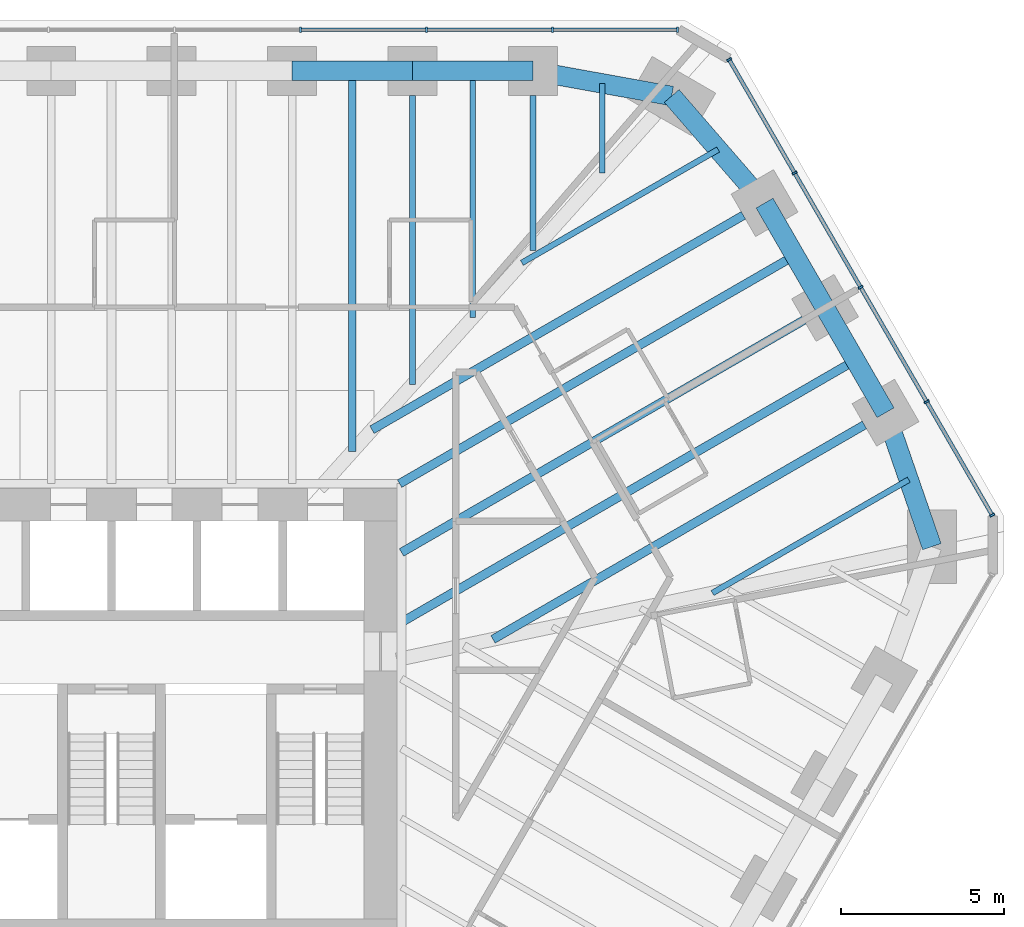
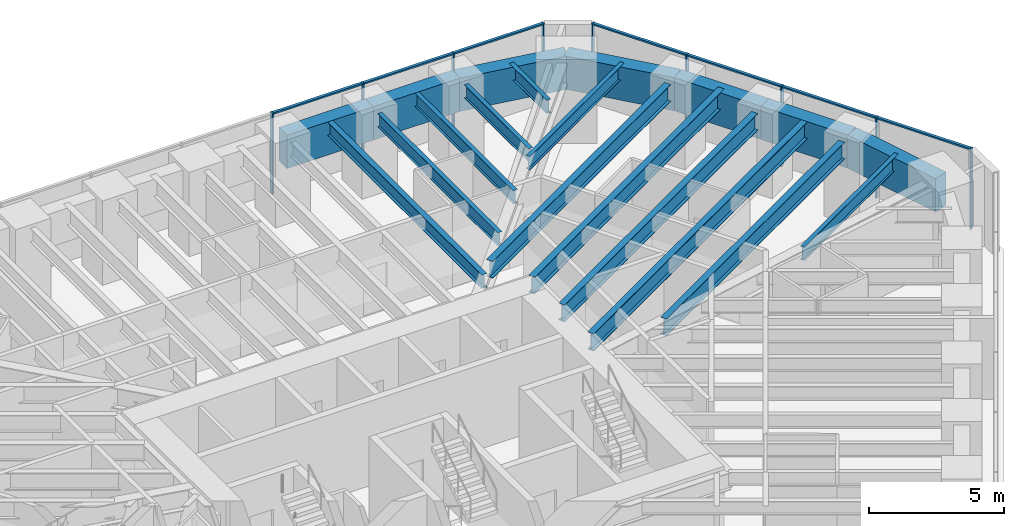
# One storey, part 9 of 16: 19 beams, 16 members, 2 elements without a shape of their own.
"""IFC4 building model written with IfcOpenShell, lengths in metres."""

from ifc_helpers import new_model, si_unit, direction, frame, origin, origin_2d, place, context, subcontext, project, spatial, rectangle, i_section, extrude, material, material_profile, profile_set, type_object, element, aggregate, save


model = new_model("IFC4")

# Units and contexts
model_context = context("Model", 3, precision=1e-05, world=origin(), true_north=direction((0.0, 1.0)))
body_context = subcontext(model_context, "Body", "Model", "MODEL_VIEW")
ifc_project = project(units=[si_unit("LENGTHUNIT", "METRE"), si_unit("AREAUNIT", "SQUARE_METRE"), si_unit("VOLUMEUNIT", "CUBIC_METRE"), si_unit("PLANEANGLEUNIT", "RADIAN"), si_unit("MASSUNIT", "GRAM", prefix="KILO")], contexts=[model_context])

# Site, building, storey
site_placement = place(None, origin())
site = spatial("IfcSite", under=ifc_project, at=site_placement, CompositionType="ELEMENT")
building_placement = place(site_placement, origin())
building = spatial("IfcBuilding", under=site, at=building_placement, Name="Sandreach Pilgrim Tower", CompositionType="ELEMENT")
storey_placement = place(building_placement, frame((0.0, 0.0, 209.800048828125)))
storey = spatial("IfcBuildingStorey", under=building, at=storey_placement, Name="L52", CompositionType="ELEMENT", Elevation=209.800048828125)

# Curtain wall, members
ifc_material_1 = material(Name="Aluminium framed curtain wall", Category="aluminium")
curtain_wall_type = type_object("IfcCurtainWallType", Name="Upper hotel tower curtain wall", PredefinedType="NOTDEFINED", material=ifc_material_1)
curtain_wall_1_placement = place(storey_placement, origin())
curtain_wall_1 = element("IfcCurtainWall", 1, at=curtain_wall_1_placement, inside=storey, type_object=curtain_wall_type, Name="CW-3 L52 N", PredefinedType="NOTDEFINED")
ifc_material_2 = material(Name="Aluminium extrusion", Category="aluminium")
ifc_material_profile_1 = material_profile(ifc_material_2, rectangle(XDim=0.06494140625, YDim=0.159912109375, at=origin_2d()), Name="CW-3M 65X160")
ifc_profile_set_1 = profile_set([ifc_material_profile_1], Name="Aluminium extrusion")
member_type_1 = type_object("IfcMemberType", Name="CW-3 mullion", PredefinedType="MULLION", material=ifc_profile_set_1)
member_1_placement = place(storey_placement, frame((5.796630859375, 21.16015625, 0.0), z_axis=(0.0, 0.0, 1.0), x_axis=(1.0, 0.0, 0.0)))
member_1 = element("IfcMember", 2, at=member_1_placement, type_object=member_type_1, Name="CW-3 mullion 7", PredefinedType="MULLION", context=body_context, shape_type="SweptSolid", body=[
    extrude(rectangle(XDim=0.06494140625, YDim=0.159912109375, at=origin_2d()), origin(), (0.0, 0.0, 1.0), 3.639892578125),
])
member_2_placement = place(storey_placement, frame((9.6611328125, 21.16015625, 0.0), z_axis=(0.0, 0.0, 1.0), x_axis=(1.0, 0.0, 0.0)))
member_2 = element("IfcMember", 3, at=member_2_placement, type_object=member_type_1, Name="CW-3 mullion 8", PredefinedType="MULLION", context=body_context, shape_type="SweptSolid", body=[
    extrude(rectangle(XDim=0.06494140625, YDim=0.159912109375, at=origin_2d()), origin(), (0.0, 0.0, 1.0), 3.639892578125),
])
member_3_placement = place(storey_placement, frame((13.525390625, 21.16015625, 0.0), z_axis=(0.0, 0.0, 1.0), x_axis=(1.0, 0.0, 0.0)))
member_3 = element("IfcMember", 4, at=member_3_placement, type_object=member_type_1, Name="CW-3 mullion 9", PredefinedType="MULLION", context=body_context, shape_type="SweptSolid", body=[
    extrude(rectangle(XDim=0.06494140625, YDim=0.159912109375, at=origin_2d()), origin(), (0.0, 0.0, 1.0), 3.639892578125),
])
member_4_placement = place(storey_placement, frame((17.357421875, 21.16015625, 0.0), z_axis=(0.0, 0.0, 1.0), x_axis=(1.0, 0.0, 0.0)))
member_4 = element("IfcMember", 5, at=member_4_placement, type_object=member_type_1, Name="CW-3 mullion 10", PredefinedType="MULLION", context=body_context, shape_type="SweptSolid", body=[
    extrude(rectangle(XDim=0.06494140625, YDim=0.159912109375, at=origin_2d()), origin(), (0.0, 0.0, 1.0), 3.639892578125),
])

curtain_wall_2_placement = place(storey_placement, origin())
curtain_wall_2 = element("IfcCurtainWall", 6, at=curtain_wall_2_placement, inside=storey, type_object=curtain_wall_type, Name="CW-3 L52 NE", PredefinedType="NOTDEFINED")
member_5_placement = place(storey_placement, frame((18.93896484375, 20.2470703125, 0.0), z_axis=(0.0, 0.0, 1.0), x_axis=(0.5, -0.866025403784, 0.0)))
member_5 = element("IfcMember", 7, at=member_5_placement, type_object=member_type_1, Name="CW-3 mullion 1", PredefinedType="MULLION", context=body_context, shape_type="SweptSolid", body=[
    extrude(rectangle(XDim=0.06494140625, YDim=0.159912109375, at=origin_2d()), origin(), (0.0, 0.0, 1.0), 3.639892578125),
])
member_6_placement = place(storey_placement, frame((20.947021484375, 16.768798828125, 0.0), z_axis=(0.0, 0.0, 1.0), x_axis=(0.5, -0.866025403784, 0.0)))
member_6 = element("IfcMember", 8, at=member_6_placement, type_object=member_type_1, Name="CW-3 mullion 2", PredefinedType="MULLION", context=body_context, shape_type="SweptSolid", body=[
    extrude(rectangle(XDim=0.06494140625, YDim=0.159912109375, at=origin_2d()), origin(), (0.0, 0.0, 1.0), 3.639892578125),
])
member_7_placement = place(storey_placement, frame((22.971435546875, 13.262451171875, 0.0), z_axis=(0.0, 0.0, 1.0), x_axis=(0.5, -0.866025403784, 0.0)))
member_7 = element("IfcMember", 9, at=member_7_placement, type_object=member_type_1, Name="CW-3 mullion 3", PredefinedType="MULLION", context=body_context, shape_type="SweptSolid", body=[
    extrude(rectangle(XDim=0.06494140625, YDim=0.159912109375, at=origin_2d()), origin(), (0.0, 0.0, 1.0), 3.639892578125),
])
member_8_placement = place(storey_placement, frame((24.995849609375, 9.75634765625, 0.0), z_axis=(0.0, 0.0, 1.0), x_axis=(0.5, -0.866025403784, 0.0)))
member_8 = element("IfcMember", 10, at=member_8_placement, type_object=member_type_1, Name="CW-3 mullion 4", PredefinedType="MULLION", context=body_context, shape_type="SweptSolid", body=[
    extrude(rectangle(XDim=0.06494140625, YDim=0.159912109375, at=origin_2d()), origin(), (0.0, 0.0, 1.0), 3.639892578125),
])
member_9_placement = place(storey_placement, frame((27.00390625, 6.278076171875, 0.0), z_axis=(0.0, 0.0, 1.0), x_axis=(0.5, -0.866025403784, 0.0)))
member_9 = element("IfcMember", 11, at=member_9_placement, type_object=member_type_1, Name="CW-3 mullion 5", PredefinedType="MULLION", context=body_context, shape_type="SweptSolid", body=[
    extrude(rectangle(XDim=0.06494140625, YDim=0.159912109375, at=origin_2d()), origin(), (0.0, 0.0, 1.0), 3.639892578125),
])

# Member
ifc_material_3 = material(Name="Aluminium extrusion", Category="aluminium")
ifc_material_profile_2 = material_profile(ifc_material_3, rectangle(XDim=0.1201171875, YDim=0.070068359375, at=origin_2d()), Name="CW-3T 120X70")
ifc_profile_set_2 = profile_set([ifc_material_profile_2], Name="Aluminium extrusion")
member_type_2 = type_object("IfcMemberType", Name="CW-3 transom", PredefinedType="USERDEFINED", material=ifc_profile_set_2)
member_10_placement = place(storey_placement, frame((5.8291015625, 21.16015625, 3.60498046875), z_axis=(1.0, 0.0, 0.0), x_axis=(0.0, 1.0, 0.0)))
member_10 = element("IfcMember", 12, at=member_10_placement, type_object=member_type_2, Name="CW-3 head transom 7", ObjectType="TRANSOM", PredefinedType="USERDEFINED", context=body_context, shape_type="SweptSolid", body=[
    extrude(rectangle(XDim=0.1201171875, YDim=0.070068359375, at=origin_2d()), origin(), (0.0, 0.0, 1.0), 3.799560546875),
])

member_11_placement = place(storey_placement, frame((9.693603515625, 21.16015625, 3.60498046875), z_axis=(1.0, 0.0, 0.0), x_axis=(0.0, 1.0, 0.0)))
member_11 = element("IfcMember", 13, at=member_11_placement, type_object=member_type_2, Name="CW-3 head transom 8", ObjectType="TRANSOM", PredefinedType="USERDEFINED", context=body_context, shape_type="SweptSolid", body=[
    extrude(rectangle(XDim=0.1201171875, YDim=0.070068359375, at=origin_2d()), origin(), (0.0, 0.0, 1.0), 3.79931640625),
])

member_12_placement = place(storey_placement, frame((13.557861328125, 21.16015625, 3.60498046875), z_axis=(1.0, 0.0, 0.0), x_axis=(0.0, 1.0, 0.0)))
member_12 = element("IfcMember", 14, at=member_12_placement, type_object=member_type_2, Name="CW-3 head transom 9", ObjectType="TRANSOM", PredefinedType="USERDEFINED", context=body_context, shape_type="SweptSolid", body=[
    extrude(rectangle(XDim=0.1201171875, YDim=0.070068359375, at=origin_2d()), origin(), (0.0, 0.0, 1.0), 3.76708984375),
])

aggregate(curtain_wall_1, [member_1, member_2, member_3, member_4, member_10, member_11, member_12])

member_13_placement = place(storey_placement, frame((18.955322265625, 20.21875, 3.60498046875), z_axis=(0.499993448556, -0.866029186229, 0.0), x_axis=(0.866029186229, 0.499993448556, 0.0)))
member_13 = element("IfcMember", 15, at=member_13_placement, type_object=member_type_2, Name="CW-3 head transom 1", ObjectType="TRANSOM", PredefinedType="USERDEFINED", context=body_context, shape_type="SweptSolid", body=[
    extrude(rectangle(XDim=0.1201171875, YDim=0.070068359375, at=origin_2d()), origin(), (0.0, 0.0, 1.0), 3.951171875),
])

member_14_placement = place(storey_placement, frame((20.96337890625, 16.74072265625, 3.60498046875), z_axis=(0.499975332564, -0.866039645067, 0.0), x_axis=(0.866039645067, 0.499975332564, 0.0)))
member_14 = element("IfcMember", 16, at=member_14_placement, type_object=member_type_2, Name="CW-3 head transom 2", ObjectType="TRANSOM", PredefinedType="USERDEFINED", context=body_context, shape_type="SweptSolid", body=[
    extrude(rectangle(XDim=0.1201171875, YDim=0.070068359375, at=origin_2d()), origin(), (0.0, 0.0, 1.0), 3.983642578125),
])

member_15_placement = place(storey_placement, frame((22.98779296875, 13.234375, 3.60498046875), z_axis=(0.499975332564, -0.866039645067, 0.0), x_axis=(0.866039645067, 0.499975332564, 0.0)))
member_15 = element("IfcMember", 17, at=member_15_placement, type_object=member_type_2, Name="CW-3 head transom 3", ObjectType="TRANSOM", PredefinedType="USERDEFINED", context=body_context, shape_type="SweptSolid", body=[
    extrude(rectangle(XDim=0.1201171875, YDim=0.070068359375, at=origin_2d()), origin(), (0.0, 0.0, 1.0), 3.983642578125),
])

member_16_placement = place(storey_placement, frame((25.011962890625, 9.728271484375, 3.60498046875), z_axis=(0.499993448556, -0.866029186229, 0.0), x_axis=(0.866029186229, 0.499993448556, 0.0)))
member_16 = element("IfcMember", 18, at=member_16_placement, type_object=member_type_2, Name="CW-3 head transom 4", ObjectType="TRANSOM", PredefinedType="USERDEFINED", context=body_context, shape_type="SweptSolid", body=[
    extrude(rectangle(XDim=0.1201171875, YDim=0.070068359375, at=origin_2d()), origin(), (0.0, 0.0, 1.0), 3.951171875),
])

aggregate(curtain_wall_2, [member_5, member_6, member_7, member_8, member_9, member_13, member_14, member_15, member_16])

# Beams
ifc_material_4 = material(Name="Steel ASTM A992 Grade 50", Category="steel")
ifc_material_profile_3 = material_profile(ifc_material_4, i_section(OverallWidth=0.1787109375, OverallDepth=0.60205078125, WebThickness=0.010986328125, FlangeThickness=0.014892578125, at=origin_2d()), Name="W24X62")
ifc_profile_set_3 = profile_set([ifc_material_profile_3], Name="Steel ASTM A992 Grade 50")
beam_type_1 = type_object("IfcBeamType", Name="Floor beam W24X62", PredefinedType="BEAM", material=ifc_profile_set_3)
beam_1_placement = place(storey_placement, frame((9.231201171875, 19.150146484375, 3.3388671875), z_axis=(0.0, -1.0, 0.0), x_axis=(1.0, 0.0, 0.0)))
element("IfcBeam", 19, at=beam_1_placement, inside=storey, type_object=beam_type_1, Name="BM L52 F07", PredefinedType="BEAM", context=body_context, shape_type="SweptSolid", body=[
    extrude(i_section(OverallWidth=0.1787109375, OverallDepth=0.60205078125, WebThickness=0.010986328125, FlangeThickness=0.014892578125, at=origin_2d()), origin(), (0.0, 0.0, 1.0), 8.86962890625),
])
beam_2_placement = place(storey_placement, frame((12.923828125, 19.150146484375, 3.3388671875), z_axis=(0.0, -1.0, 0.0), x_axis=(1.0, 0.0, 0.0)))
element("IfcBeam", 20, at=beam_2_placement, inside=storey, type_object=beam_type_1, Name="BM L52 F08", PredefinedType="BEAM", context=body_context, shape_type="SweptSolid", body=[
    extrude(i_section(OverallWidth=0.1787109375, OverallDepth=0.60205078125, WebThickness=0.010986328125, FlangeThickness=0.014892578125, at=origin_2d()), origin(), (0.0, 0.0, 1.0), 4.757568359375),
])
beam_3_placement = place(storey_placement, frame((11.077392578125, 19.900146484375, 3.3388671875), z_axis=(0.0, -1.0, 0.0), x_axis=(1.0, 0.0, 0.0)))
element("IfcBeam", 21, at=beam_3_placement, inside=storey, type_object=beam_type_1, Name="BM L52 FM07", PredefinedType="BEAM", context=body_context, shape_type="SweptSolid", body=[
    extrude(i_section(OverallWidth=0.1787109375, OverallDepth=0.60205078125, WebThickness=0.010986328125, FlangeThickness=0.014892578125, at=origin_2d()), origin(), (0.0, 0.0, 1.0), 7.563720703125),
])
beam_4_placement = place(storey_placement, frame((15.05078125, 19.515380859375, 3.3388671875), z_axis=(0.0, -1.0, 0.0), x_axis=(1.0, 0.0, 0.0)))
element("IfcBeam", 22, at=beam_4_placement, inside=storey, type_object=beam_type_1, Name="BM L52 FM08", PredefinedType="BEAM", context=body_context, shape_type="SweptSolid", body=[
    extrude(i_section(OverallWidth=0.1787109375, OverallDepth=0.60205078125, WebThickness=0.010986328125, FlangeThickness=0.014892578125, at=origin_2d()), origin(), (0.0, 0.0, 1.0), 2.75390625),
])
for number, where, z_axis, x_axis, name in (
    (23, (18.6015625, 17.48828125, 3.3388671875), (-0.866029381593, -0.499993110171, 0.0), (0.499993110171, -0.866029381593, 0.0), "BM L52 FM09"),
    (24, (24.446044921875, 7.365234375, 3.3388671875), (-0.866029381593, -0.499993110171, 0.0), (0.499993110171, -0.866029381593, 0.0), "BM L52 FM12"),
):
    element("IfcBeam", number, at=place(storey_placement, frame(where, z_axis=z_axis, x_axis=x_axis)), inside=storey, type_object=beam_type_1, Name=name, PredefinedType="BEAM", context=body_context, shape_type="SweptSolid", body=[
        extrude(i_section(OverallWidth=0.1787109375, OverallDepth=0.60205078125, WebThickness=0.010986328125, FlangeThickness=0.014892578125, at=origin_2d()), origin(), (0.0, 0.0, 1.0), 6.94921875),
    ])
ifc_material_5 = material(Name="Steel ASTM A992 Grade 50", Category="steel")
ifc_material_profile_4 = material_profile(ifc_material_5, i_section(OverallWidth=0.23046875, OverallDepth=0.6171875, WebThickness=0.01318359375, FlangeThickness=0.022216796875, at=origin_2d()), Name="W24X94")
ifc_profile_set_4 = profile_set([ifc_material_profile_4], Name="Steel ASTM A992 Grade 50")
beam_type_2 = type_object("IfcBeamType", Name="Floor beam W24X94", PredefinedType="BEAM", material=ifc_profile_set_4)
beam_5_placement = place(storey_placement, frame((7.385009765625, 19.900146484375, 3.331298828125), z_axis=(0.0, -1.0, 0.0), x_axis=(1.0, 0.0, 0.0)))
element("IfcBeam", 25, at=beam_5_placement, inside=storey, type_object=beam_type_2, Name="BM L52 FM06", PredefinedType="BEAM", context=body_context, shape_type="SweptSolid", body=[
    extrude(i_section(OverallWidth=0.23046875, OverallDepth=0.6171875, WebThickness=0.01318359375, FlangeThickness=0.022216796875, at=origin_2d()), origin(), (0.0, 0.0, 1.0), 11.67578125),
])
ifc_material_6 = material(Name="Steel ASTM A992 Grade 50", Category="steel")
ifc_material_profile_5 = material_profile(ifc_material_6, i_section(OverallWidth=0.2666015625, OverallDepth=0.761962890625, WebThickness=0.014404296875, FlangeThickness=0.021484375, at=origin_2d()), Name="W30X116")
ifc_profile_set_5 = profile_set([ifc_material_profile_5], Name="Steel ASTM A992 Grade 50")
beam_type_3 = type_object("IfcBeamType", Name="Floor beam W30X116", PredefinedType="BEAM", material=ifc_profile_set_5)
beam_6_placement = place(storey_placement, frame((19.37548828125, 15.470947265625, 3.259033203125), z_axis=(-0.866022320763, -0.500005339912, 0.0), x_axis=(0.500005339912, -0.866022320763, 0.0)))
element("IfcBeam", 26, at=beam_6_placement, inside=storey, type_object=beam_type_3, Name="BM L52 F10", PredefinedType="BEAM", context=body_context, shape_type="SweptSolid", body=[
    extrude(i_section(OverallWidth=0.2666015625, OverallDepth=0.761962890625, WebThickness=0.014404296875, FlangeThickness=0.021484375, at=origin_2d()), origin(), (0.0, 0.0, 1.0), 13.148193359375),
])
beam_7_placement = place(storey_placement, frame((21.230712890625, 12.257568359375, 3.259033203125), z_axis=(-0.866024056942, -0.500002332792, 0.0), x_axis=(0.500002332792, -0.866024056942, 0.0)))
element("IfcBeam", 27, at=beam_7_placement, inside=storey, type_object=beam_type_3, Name="BM L52 F11", PredefinedType="BEAM", context=body_context, shape_type="SweptSolid", body=[
    extrude(i_section(OverallWidth=0.2666015625, OverallDepth=0.761962890625, WebThickness=0.014404296875, FlangeThickness=0.021484375, at=origin_2d()), origin(), (0.0, 0.0, 1.0), 14.24609375),
])
beam_8_placement = place(storey_placement, frame((23.0859375, 9.044189453125, 3.259033203125), z_axis=(-0.866026962808, -0.499997299682, 0.0), x_axis=(0.499997299682, -0.866026962808, 0.0)))
element("IfcBeam", 28, at=beam_8_placement, inside=storey, type_object=beam_type_3, Name="BM L52 F12", PredefinedType="BEAM", context=body_context, shape_type="SweptSolid", body=[
    extrude(i_section(OverallWidth=0.2666015625, OverallDepth=0.761962890625, WebThickness=0.014404296875, FlangeThickness=0.021484375, at=origin_2d()), origin(), (0.0, 0.0, 1.0), 13.1484375),
])
beam_9_placement = place(storey_placement, frame((20.95263671875, 14.2392578125, 3.259033203125), z_axis=(-0.866025770688, -0.499999364504, 0.0), x_axis=(0.499999364504, -0.866025770688, 0.0)))
element("IfcBeam", 29, at=beam_9_placement, inside=storey, type_object=beam_type_3, Name="BM L52 FM10", PredefinedType="BEAM", context=body_context, shape_type="SweptSolid", body=[
    extrude(i_section(OverallWidth=0.2666015625, OverallDepth=0.761962890625, WebThickness=0.014404296875, FlangeThickness=0.021484375, at=origin_2d()), origin(), (0.0, 0.0, 1.0), 13.99169921875),
])
ifc_material_7 = material(Name="Steel ASTM A992 Grade 50", Category="steel")
ifc_material_profile_6 = material_profile(ifc_material_7, i_section(OverallWidth=0.2666015625, OverallDepth=0.77978515625, WebThickness=0.0166015625, FlangeThickness=0.030029296875, at=origin_2d()), Name="W30X148")
ifc_profile_set_6 = profile_set([ifc_material_profile_6], Name="Steel ASTM A992 Grade 50")
beam_type_4 = type_object("IfcBeamType", Name="Floor beam W30X148", PredefinedType="BEAM", material=ifc_profile_set_6)
beam_10_placement = place(storey_placement, frame((22.807861328125, 11.02587890625, 3.25), z_axis=(-0.866028701771, -0.499994287676, 0.0), x_axis=(0.499994287676, -0.866028701771, 0.0)))
element("IfcBeam", 30, at=beam_10_placement, inside=storey, type_object=beam_type_4, Name="BM L52 FM11", PredefinedType="BEAM", context=body_context, shape_type="SweptSolid", body=[
    extrude(i_section(OverallWidth=0.2666015625, OverallDepth=0.77978515625, WebThickness=0.0166015625, FlangeThickness=0.030029296875, at=origin_2d()), origin(), (0.0, 0.0, 1.0), 16.067138671875),
])
ifc_material_8 = material(Name="Concrete 10000 psi", Category="concrete")
ifc_material_profile_7 = material_profile(ifc_material_8, rectangle(XDim=0.60009765625, YDim=1.5, at=origin_2d()), Name="RC600X1500")
ifc_profile_set_7 = profile_set([ifc_material_profile_7], Name="Concrete 10000 psi")
beam_type_5 = type_object("IfcBeamType", Name="Spandrel beam RC600X1500", PredefinedType="SPANDREL", material=ifc_profile_set_7)
beam_11_placement = place(storey_placement, frame((5.538818359375, 19.900146484375, 2.889892578125), z_axis=(1.0, 0.0, 0.0), x_axis=(0.0, 1.0, 0.0)))
element("IfcBeam", 31, at=beam_11_placement, inside=storey, type_object=beam_type_5, Name="BM L52 SP06", PredefinedType="SPANDREL", context=body_context, shape_type="SweptSolid", body=[
    extrude(rectangle(XDim=0.60009765625, YDim=1.5, at=origin_2d()), origin(), (0.0, 0.0, 1.0), 3.6923828125),
])
beam_12_placement = place(storey_placement, frame((9.231201171875, 19.900146484375, 2.889892578125), z_axis=(1.0, 0.0, 0.0), x_axis=(0.0, 1.0, 0.0)))
element("IfcBeam", 32, at=beam_12_placement, inside=storey, type_object=beam_type_5, Name="BM L52 SP07", PredefinedType="SPANDREL", context=body_context, shape_type="SweptSolid", body=[
    extrude(rectangle(XDim=0.60009765625, YDim=1.5, at=origin_2d()), origin(), (0.0, 0.0, 1.0), 3.692626953125),
])
beam_13_placement = place(storey_placement, frame((12.923828125, 19.900146484375, 2.889892578125), z_axis=(0.984030345637, -0.178000783326, 0.0), x_axis=(0.178000783326, 0.984030345637, 0.0)))
element("IfcBeam", 33, at=beam_13_placement, inside=storey, type_object=beam_type_5, Name="BM L52 SP08", PredefinedType="SPANDREL", context=body_context, shape_type="SweptSolid", body=[
    extrude(rectangle(XDim=0.60009765625, YDim=1.5, at=origin_2d()), origin(), (0.0, 0.0, 1.0), 4.3232421875),
])
beam_14_placement = place(storey_placement, frame((17.177978515625, 19.130615234375, 2.889892578125), z_axis=(0.65499040715, -0.755637192402, 0.0), x_axis=(0.755637192402, 0.65499040715, 0.0)))
element("IfcBeam", 34, at=beam_14_placement, inside=storey, type_object=beam_type_5, Name="BM L52 SP09", PredefinedType="SPANDREL", context=body_context, shape_type="SweptSolid", body=[
    extrude(rectangle(XDim=0.60009765625, YDim=1.5, at=origin_2d()), origin(), (0.0, 0.0, 1.0), 4.346923828125),
])
for number, where, z_axis, x_axis, name in (
    (35, (20.025146484375, 15.845947265625, 2.889892578125), (0.499995842751, -0.86602780396, 0.0), (0.86602780396, 0.499995842751, 0.0), "BM L52 SP10"),
    (36, (21.88037109375, 12.632568359375, 2.889892578125), (0.499946491854, -0.866056294523, 0.0), (0.866056294523, 0.499946491854, 0.0), "BM L52 SP11"),
):
    element("IfcBeam", number, at=place(storey_placement, frame(where, z_axis=z_axis, x_axis=x_axis)), inside=storey, type_object=beam_type_5, Name=name, PredefinedType="SPANDREL", context=body_context, shape_type="SweptSolid", body=[
        extrude(rectangle(XDim=0.60009765625, YDim=1.5, at=origin_2d()), origin(), (0.0, 0.0, 1.0), 3.71044921875),
    ])
beam_15_placement = place(storey_placement, frame((23.7353515625, 9.419189453125, 2.889892578125), z_axis=(0.326940800053, -0.945044820768, 0.0), x_axis=(0.945044820768, 0.326940800053, 0.0)))
element("IfcBeam", 37, at=beam_15_placement, inside=storey, type_object=beam_type_5, Name="BM L52 SP12", PredefinedType="SPANDREL", context=body_context, shape_type="SweptSolid", body=[
    extrude(rectangle(XDim=0.60009765625, YDim=1.5, at=origin_2d()), origin(), (0.0, 0.0, 1.0), 4.3466796875),
])

save(model, "model.ifc")
